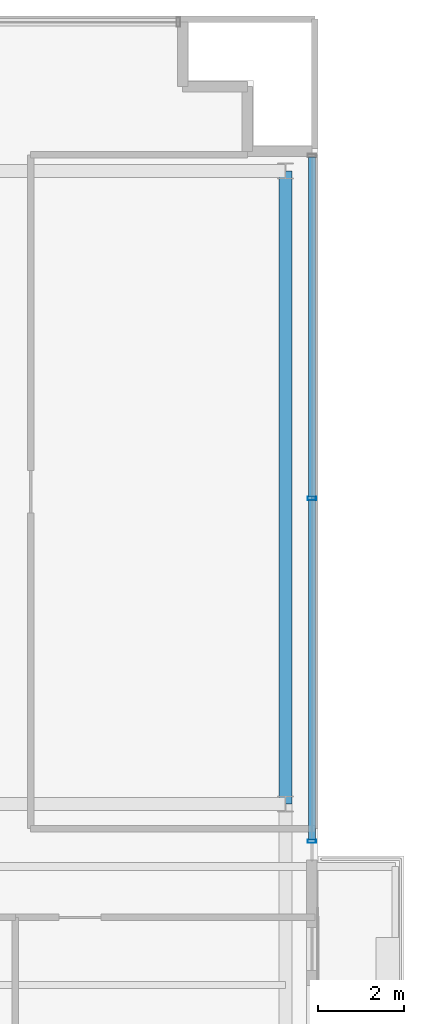
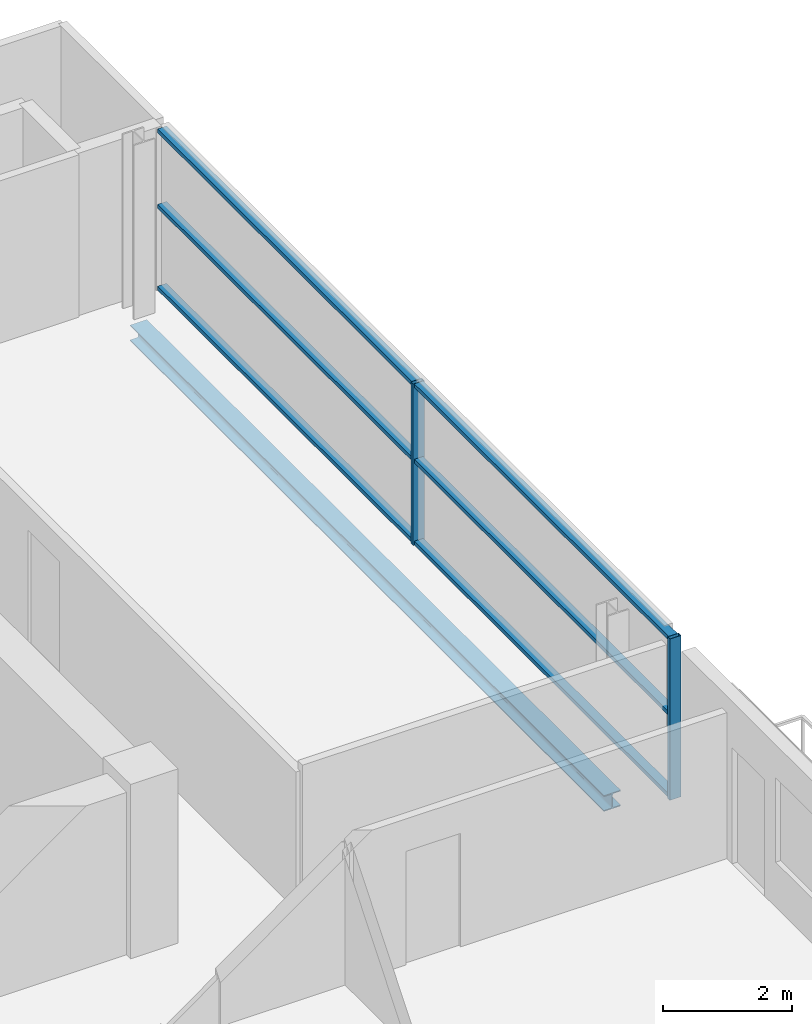
# One storey, part 9 of 22: 8 members, 1 beam, 1 element without a shape of its own.
"""IFC4 building model written with IfcOpenShell, lengths in metres."""

from ifc_helpers import new_model, si_unit, direction, frame, origin, origin_2d, place, context, subcontext, project, spatial, hollow_rectangle, i_section, extrude, source, transform, mapped, material, layer, layer_set, material_profile, profile_set, type_object, element, aggregate, save


model = new_model("IFC4")

# Units and contexts
model_context = context("Model", 3, precision=1e-05, world=origin(), true_north=direction((0.0, 1.0)))
body_context = subcontext(model_context, "Body", "Model", "MODEL_VIEW")
ifc_project = project(units=[si_unit("LENGTHUNIT", "METRE"), si_unit("AREAUNIT", "SQUARE_METRE"), si_unit("VOLUMEUNIT", "CUBIC_METRE"), si_unit("PLANEANGLEUNIT", "RADIAN"), si_unit("MASSUNIT", "GRAM", prefix="KILO")], contexts=[model_context])

# Site, building, storey
site_placement = place(None, origin())
site = spatial("IfcSite", under=ifc_project, at=site_placement, CompositionType="ELEMENT")
building_placement = place(site_placement, origin())
building = spatial("IfcBuilding", under=site, at=building_placement, Name="Zarnakvel Exchange Tower", CompositionType="ELEMENT")
storey_placement = place(building_placement, frame((0.0, 0.0, 245.199951171875)))
storey = spatial("IfcBuildingStorey", under=building, at=storey_placement, Name="L69", CompositionType="ELEMENT", Elevation=245.199951171875)

# Beam
ifc_material_1 = material(Name="Steel S355", Category="steel")
ifc_material_profile_1 = material_profile(ifc_material_1, i_section(OverallWidth=0.300048828125, OverallDepth=0.300048828125, WebThickness=0.010986328125, FlangeThickness=0.01904296875, FilletRadius=0.027099609375, at=origin_2d()))
ifc_profile_set_1 = profile_set([ifc_material_profile_1], Name="Steel S355")
beam_type = type_object("IfcBeamType", Name="SP-03", PredefinedType="SPANDREL", material=ifc_profile_set_1)
beam_placement = place(storey_placement, frame((22.85009765625, -1.199951171875, -0.375), z_axis=(0.0, 1.0, 0.0), x_axis=(-1.0, 0.0, 0.0)))
element("IfcBeam", 1, at=beam_placement, inside=storey, type_object=beam_type, Name="L69 Tower N-S Frame Beam", PredefinedType="SPANDREL", context=body_context, shape_type="SweptSolid", body=[
    extrude(i_section(OverallWidth=0.300048828125, OverallDepth=0.300048828125, WebThickness=0.010986328125, FlangeThickness=0.01904296875, FilletRadius=0.027099609375, at=origin_2d()), origin(), (0.0, 0.0, 1.0), 14.699951171875),
])

# Curtain wall, members
ifc_material_2 = material(Name="Architectural Bronze Anodised Aluminium", Category="aluminium")
ifc_layer = layer(ifc_material_2, 0.199951171875)
ifc_layer_set = layer_set([ifc_layer], Name="Architectural Bronze Anodised Aluminium")
curtain_wall_type = type_object("IfcCurtainWallType", Name="CW-04", PredefinedType="NOTDEFINED", material=ifc_layer_set)
curtain_wall_placement = place(storey_placement, origin())
curtain_wall = element("IfcCurtainWall", 2, at=curtain_wall_placement, inside=storey, type_object=curtain_wall_type, Name="L69 Curtain Wall CW-L69-EN (CW-04)", PredefinedType="NOTDEFINED")
ifc_material_profile_2 = material_profile(ifc_material_2, hollow_rectangle(XDim=0.199951171875, YDim=0.074951171875, WallThickness=0.0048828125, at=origin_2d()))
ifc_profile_set_2 = profile_set([ifc_material_profile_2], Name="Architectural Bronze Anodised Aluminium")
member_type_1 = type_object("IfcMemberType", Name="CWM-04", PredefinedType="MULLION", material=ifc_profile_set_2)
shared_shape_1 = source(origin(), body_context, "Body", "SweptSolid", [
    extrude(hollow_rectangle(XDim=0.199951171875, YDim=0.074951171875, WallThickness=0.0048828125, at=origin_2d()), origin(), (0.0, 0.0, 1.0), 3.054931640625),
])
member_1_placement = place(storey_placement, frame((23.4599609375, -2.0625, 0.0), z_axis=(0.0, 0.0, 1.0), x_axis=(-1.0, 0.0, 0.0)))
member_1 = element("IfcMember", 3, at=member_1_placement, type_object=member_type_1, Name="CW-04 mullion 1", PredefinedType="MULLION", context=body_context, shape_type="MappedRepresentation", body=[
    mapped(shared_shape_1, transform((0.0, 0.0, 0.0), x_axis=(1.0, 0.0, 0.0), y_axis=(0.0, 1.0, 0.0), z_axis=(0.0, 0.0, 1.0), scale=1.0)),
])
member_2_placement = place(storey_placement, frame((23.4599609375, 5.89990234375, 0.0), z_axis=(0.0, 0.0, 1.0), x_axis=(-1.0, 0.0, 0.0)))
member_2 = element("IfcMember", 4, at=member_2_placement, type_object=member_type_1, Name="CW-04 mullion 2", PredefinedType="MULLION", context=body_context, shape_type="MappedRepresentation", body=[
    mapped(shared_shape_1, transform((0.0, 0.0, 0.0), x_axis=(1.0, 0.0, 0.0), y_axis=(0.0, 1.0, 0.0), z_axis=(0.0, 0.0, 1.0), scale=1.0)),
])
ifc_material_profile_3 = material_profile(ifc_material_2, hollow_rectangle(XDim=0.159912109375, YDim=0.074951171875, WallThickness=0.00390625, at=origin_2d()))
ifc_profile_set_3 = profile_set([ifc_material_profile_3], Name="Architectural Bronze Anodised Aluminium")
member_type_2 = type_object("IfcMemberType", Name="CWT-04", PredefinedType="USERDEFINED", material=ifc_profile_set_3)
shared_shape_2 = source(origin(), body_context, "Body", "SweptSolid", [
    extrude(hollow_rectangle(XDim=0.159912109375, YDim=0.074951171875, WallThickness=0.00390625, at=origin_2d()), origin(), (0.0, 0.0, 1.0), 7.887451171875),
])
member_3_placement = place(storey_placement, frame((23.4599609375, -2.02490234375, 0.03759765625), z_axis=(0.0, 1.0, 0.0), x_axis=(-1.0, 0.0, 0.0)))
member_3 = element("IfcMember", 5, at=member_3_placement, type_object=member_type_2, Name="CW-04 transom 1.1", ObjectType="TRANSOM", PredefinedType="USERDEFINED", context=body_context, shape_type="MappedRepresentation", body=[
    mapped(shared_shape_2, transform((0.0, 0.0, 0.0), x_axis=(1.0, 0.0, 0.0), y_axis=(0.0, 1.0, 0.0), z_axis=(0.0, 0.0, 1.0), scale=1.0)),
])
member_4_placement = place(storey_placement, frame((23.4599609375, -2.02490234375, 1.588623046875), z_axis=(0.0, 1.0, 0.0), x_axis=(-1.0, 0.0, 0.0)))
member_4 = element("IfcMember", 6, at=member_4_placement, type_object=member_type_2, Name="CW-04 transom 1.2", ObjectType="TRANSOM", PredefinedType="USERDEFINED", context=body_context, shape_type="MappedRepresentation", body=[
    mapped(shared_shape_2, transform((0.0, 0.0, 0.0), x_axis=(1.0, 0.0, 0.0), y_axis=(0.0, 1.0, 0.0), z_axis=(0.0, 0.0, 1.0), scale=1.0)),
])
member_5_placement = place(storey_placement, frame((23.4599609375, -2.02490234375, 3.017578125), z_axis=(0.0, 1.0, 0.0), x_axis=(-1.0, 0.0, 0.0)))
member_5 = element("IfcMember", 7, at=member_5_placement, type_object=member_type_2, Name="CW-04 transom 1.3", ObjectType="TRANSOM", PredefinedType="USERDEFINED", context=body_context, shape_type="MappedRepresentation", body=[
    mapped(shared_shape_2, transform((0.0, 0.0, 0.0), x_axis=(1.0, 0.0, 0.0), y_axis=(0.0, 1.0, 0.0), z_axis=(0.0, 0.0, 1.0), scale=1.0)),
])
member_6_placement = place(storey_placement, frame((23.4599609375, 5.9375, 0.03759765625), z_axis=(0.0, 1.0, 0.0), x_axis=(-1.0, 0.0, 0.0)))
member_6 = element("IfcMember", 8, at=member_6_placement, type_object=member_type_2, Name="CW-04 transom 2.1", ObjectType="TRANSOM", PredefinedType="USERDEFINED", context=body_context, shape_type="MappedRepresentation", body=[
    mapped(shared_shape_2, transform((0.0, 0.0, 0.0), x_axis=(1.0, 0.0, 0.0), y_axis=(0.0, 1.0, 0.0), z_axis=(0.0, 0.0, 1.0), scale=1.0)),
])
member_7_placement = place(storey_placement, frame((23.4599609375, 5.9375, 1.588623046875), z_axis=(0.0, 1.0, 0.0), x_axis=(-1.0, 0.0, 0.0)))
member_7 = element("IfcMember", 9, at=member_7_placement, type_object=member_type_2, Name="CW-04 transom 2.2", ObjectType="TRANSOM", PredefinedType="USERDEFINED", context=body_context, shape_type="MappedRepresentation", body=[
    mapped(shared_shape_2, transform((0.0, 0.0, 0.0), x_axis=(1.0, 0.0, 0.0), y_axis=(0.0, 1.0, 0.0), z_axis=(0.0, 0.0, 1.0), scale=1.0)),
])
member_8_placement = place(storey_placement, frame((23.4599609375, 5.9375, 3.017578125), z_axis=(0.0, 1.0, 0.0), x_axis=(-1.0, 0.0, 0.0)))
member_8 = element("IfcMember", 10, at=member_8_placement, type_object=member_type_2, Name="CW-04 transom 2.3", ObjectType="TRANSOM", PredefinedType="USERDEFINED", context=body_context, shape_type="MappedRepresentation", body=[
    mapped(shared_shape_2, transform((0.0, 0.0, 0.0), x_axis=(1.0, 0.0, 0.0), y_axis=(0.0, 1.0, 0.0), z_axis=(0.0, 0.0, 1.0), scale=1.0)),
])
aggregate(curtain_wall, [member_1, member_2, member_3, member_4, member_5, member_6, member_7, member_8])

save(model, "model.ifc")
